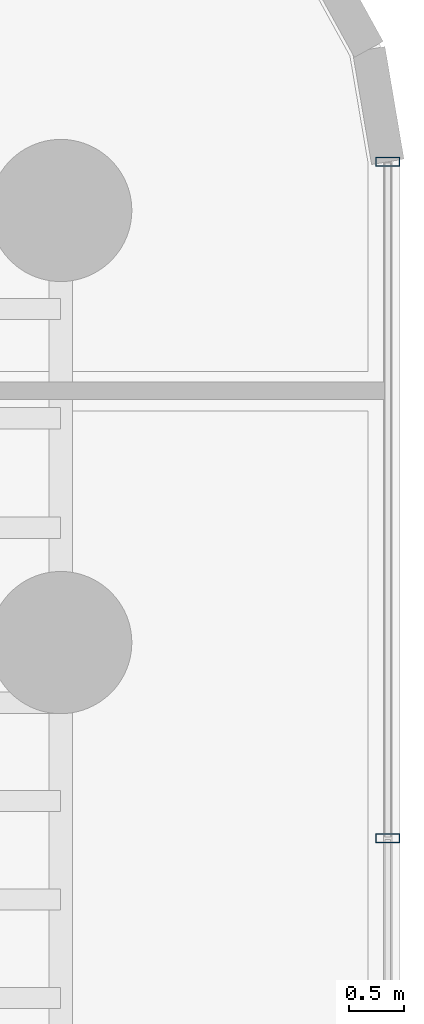
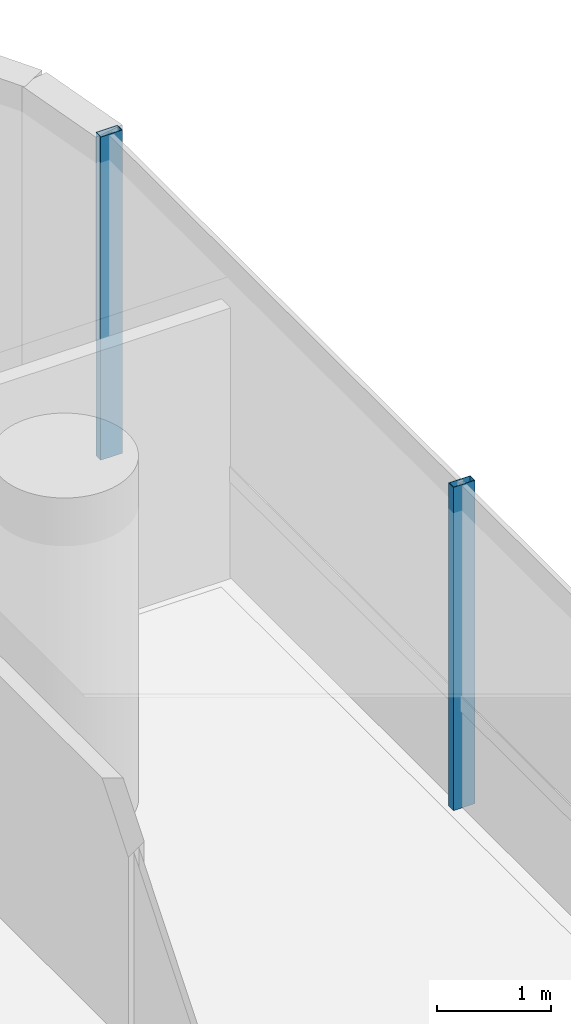
# One storey, part 28 of 40: 2 members, 1 element without a shape of its own.
"""IFC4 building model written with IfcOpenShell, lengths in metres."""

from ifc_helpers import new_model, si_unit, direction, frame, origin, origin_2d, place, context, subcontext, project, spatial, hollow_rectangle, extrude, source, transform, mapped, material, material_profile, profile_set, type_object, element, aggregate, save


model = new_model("IFC4")

# Units and contexts
model_context = context("Model", 3, precision=1e-05, world=origin(), true_north=direction((0.0, 1.0)))
body_context = subcontext(model_context, "Body", "Model", "MODEL_VIEW")
ifc_project = project(units=[si_unit("LENGTHUNIT", "METRE"), si_unit("AREAUNIT", "SQUARE_METRE"), si_unit("VOLUMEUNIT", "CUBIC_METRE"), si_unit("PLANEANGLEUNIT", "RADIAN"), si_unit("MASSUNIT", "GRAM", prefix="KILO")], contexts=[model_context])

# Site, building, storey
site_placement = place(None, origin())
site = spatial("IfcSite", under=ifc_project, at=site_placement, CompositionType="ELEMENT")
building_placement = place(site_placement, origin())
building = spatial("IfcBuilding", under=site, at=building_placement, Name="Valdorenza Pilgrim Sanctuary Tower", CompositionType="ELEMENT")
storey_placement = place(building_placement, frame((0.0, 0.0, 48.199951171875)))
storey = spatial("IfcBuildingStorey", under=building, at=storey_placement, Name="L11", CompositionType="ELEMENT", Elevation=48.199951171875)

# Curtain wall, members
ifc_material_1 = material(Name="Curtain-wall IGU glazing", Category="glass")
curtain_wall_type = type_object("IfcCurtainWallType", Name="CW-SYS-03", PredefinedType="NOTDEFINED", material=ifc_material_1)
curtain_wall_placement = place(storey_placement, origin())
curtain_wall = element("IfcCurtainWall", 1, at=curtain_wall_placement, inside=storey, type_object=curtain_wall_type, Name="L11 Curtain Wall CW-L11-1-21", PredefinedType="NOTDEFINED")
ifc_material_2 = material(Name="Anodised aluminium AW-6060", Category="aluminium")
ifc_material_profile = material_profile(ifc_material_2, hollow_rectangle(XDim=0.0849609375, YDim=0.219970703125, WallThickness=0.0048828125, at=origin_2d()), Name="ALU-M 220x85x5")
ifc_profile_set = profile_set([ifc_material_profile], Name="Anodised aluminium AW-6060")
member_type = type_object("IfcMemberType", Name="CW-MUL-03", PredefinedType="MULLION", material=ifc_profile_set)
shared_shape = source(origin(), body_context, "Body", "SweptSolid", [
    extrude(hollow_rectangle(XDim=0.0849609375, YDim=0.219970703125, WallThickness=0.0048828125, at=origin_2d()), origin(), (0.0, 0.0, 1.0), 3.4599609375),
])
member_1_placement = place(storey_placement, frame((31.389892578125, 13.945068359375, 0.0), z_axis=(0.0, 0.0, 1.0), x_axis=(0.0, -1.0, 0.0)))
member_1 = element("IfcMember", 2, at=member_1_placement, type_object=member_type, Name="CW-L11-1-21 Mullion 1", PredefinedType="MULLION", context=body_context, shape_type="MappedRepresentation", body=[
    mapped(shared_shape, transform((0.0, 0.0, 0.0), x_axis=(1.0, 0.0, 0.0), y_axis=(0.0, 1.0, 0.0), z_axis=(0.0, 0.0, 1.0), scale=1.0)),
])
member_2_placement = place(storey_placement, frame((31.389892578125, 7.761474609375, 0.0), z_axis=(0.0, 0.0, 1.0), x_axis=(0.0, -1.0, 0.0)))
member_2 = element("IfcMember", 3, at=member_2_placement, type_object=member_type, Name="CW-L11-1-21 Mullion 2", PredefinedType="MULLION", context=body_context, shape_type="MappedRepresentation", body=[
    mapped(shared_shape, transform((0.0, 0.0, 0.0), x_axis=(1.0, 0.0, 0.0), y_axis=(0.0, 1.0, 0.0), z_axis=(0.0, 0.0, 1.0), scale=1.0)),
])
aggregate(curtain_wall, [member_1, member_2])

save(model, "model.ifc")
